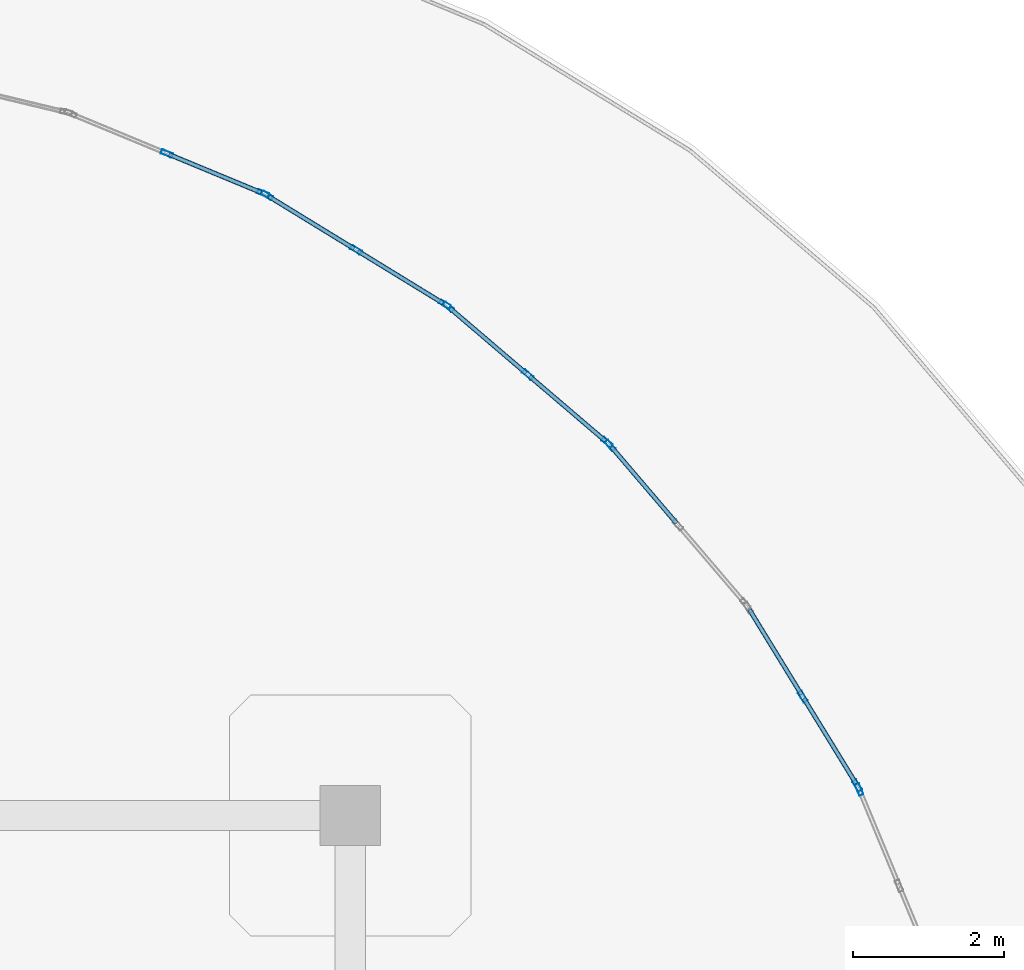
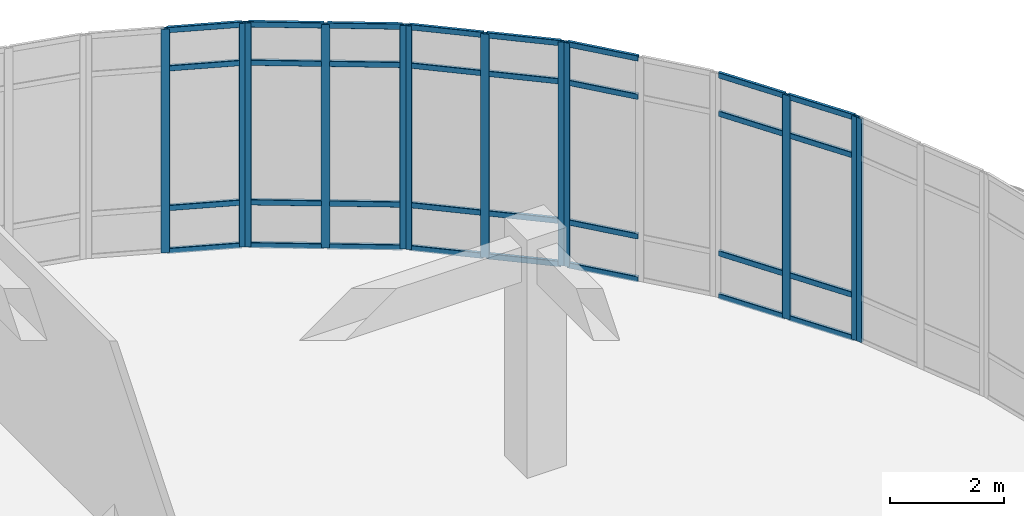
# One storey, part 66 of 96: 44 members, 6 elements without a shape of their own.
"""IFC4 building model written with IfcOpenShell, lengths in metres."""

from ifc_helpers import new_model, si_unit, derived_unit, direction, frame, origin, origin_2d, place, context, subcontext, project, spatial, hollow_rectangle, extrude, material, layer, layer_set, material_profile, profile_set, type_object, element, aggregate, save


model = new_model("IFC4")

# Units and contexts
model_context = context("Model", 3, precision=1e-05, world=origin(), true_north=direction((0.0, 1.0)))
body_context = subcontext(model_context, "Body", "Model", "MODEL_VIEW")
ifc_project = project(units=[si_unit("LENGTHUNIT", "METRE"), si_unit("AREAUNIT", "SQUARE_METRE"), si_unit("VOLUMEUNIT", "CUBIC_METRE"), si_unit("PLANEANGLEUNIT", "RADIAN"), si_unit("MASSUNIT", "GRAM", prefix="KILO"), derived_unit("THERMALTRANSMITTANCEUNIT", [(si_unit("MASSUNIT", "GRAM", prefix="KILO"), 1), (si_unit("TIMEUNIT", "SECOND"), -3), (si_unit("THERMODYNAMICTEMPERATUREUNIT", "KELVIN"), -1)])], contexts=[model_context])

# Site, building, storey
site_placement = place(None, origin())
site = spatial("IfcSite", under=ifc_project, at=site_placement, CompositionType="ELEMENT")
building_placement = place(site_placement, origin())
building = spatial("IfcBuilding", under=site, at=building_placement, Name="Qinzheling Arcade Emporium", CompositionType="ELEMENT")
storey_placement = place(building_placement, frame((0.0, 0.0, 21.60009765625)))
storey = spatial("IfcBuildingStorey", under=building, at=storey_placement, Name="L05", CompositionType="ELEMENT", Elevation=21.60009765625)

# Curtain wall, members
ifc_material_1 = material(Name="Anodised aluminium and solar-control double glazing", Category="aluminium")
ifc_layer = layer(ifc_material_1, 0.159912109375, Name="Anodised aluminium and solar-control double glazing", Category="aluminium")
ifc_layer_set = layer_set([ifc_layer], Name="Anodised aluminium and solar-control double glazing")
curtain_wall_type = type_object("IfcCurtainWallType", Name="Curved Ribbon Sales Curtain Wall", PredefinedType="NOTDEFINED", material=ifc_layer_set)
curtain_wall_1_placement = place(storey_placement, origin())
curtain_wall_1 = element("IfcCurtainWall", 1, at=curtain_wall_1_placement, inside=storey, type_object=curtain_wall_type, Name="Curtain Wall CW-L05-336", PredefinedType="NOTDEFINED")
ifc_material_2 = material(Name="Anodised aluminium 6063-T6", Category="aluminium")
ifc_material_profile_1 = material_profile(ifc_material_2, hollow_rectangle(XDim=0.06005859375, YDim=0.159912109375, WallThickness=0.00390625, InnerFilletRadius=0.00390625, OuterFilletRadius=0.008056640625, at=origin_2d()), Name="RHS 160x60x4", Category="aluminium")
ifc_profile_set_1 = profile_set([ifc_material_profile_1], Name="Anodised aluminium 6063-T6")
member_type_1 = type_object("IfcMemberType", Name="Curtain Wall Mullion RHS160x60", PredefinedType="MULLION", material=ifc_profile_set_1)
member_1_placement = place(storey_placement, frame((128.06689453125, 107.778564453125, 0.0), z_axis=(0.0, 0.0, 1.0), x_axis=(0.382654004198, 0.923891721508, 0.0)))
member_1 = element("IfcMember", 2, at=member_1_placement, type_object=member_type_1, Name="CW02 mullion 2", PredefinedType="MULLION", context=body_context, shape_type="SweptSolid", body=[
    extrude(hollow_rectangle(XDim=0.06005859375, YDim=0.159912109375, WallThickness=0.00390625, InnerFilletRadius=0.00390625, OuterFilletRadius=0.008056640625, at=origin_2d()), origin(), (0.0, 0.0, 1.0), 4.789794921875),
])
member_2_placement = place(storey_placement, frame((129.34423828125, 107.24951171875, 0.0), z_axis=(0.0, 0.0, 1.0), x_axis=(0.382654004198, 0.923891721508, 0.0)))
member_2 = element("IfcMember", 3, at=member_2_placement, type_object=member_type_1, Name="CW02 mullion 3", PredefinedType="MULLION", context=body_context, shape_type="SweptSolid", body=[
    extrude(hollow_rectangle(XDim=0.06005859375, YDim=0.159912109375, WallThickness=0.00390625, InnerFilletRadius=0.00390625, OuterFilletRadius=0.008056640625, at=origin_2d()), origin(), (0.0, 0.0, 1.0), 4.789794921875),
])

curtain_wall_2_placement = place(storey_placement, origin())
curtain_wall_2 = element("IfcCurtainWall", 4, at=curtain_wall_2_placement, inside=storey, type_object=curtain_wall_type, Name="Curtain Wall CW-L05-337", PredefinedType="NOTDEFINED")
member_3_placement = place(storey_placement, frame((129.3974609375, 107.222412109375, 0.0), z_axis=(0.0, 0.0, 1.0), x_axis=(0.522595267575, 0.852580897222, 0.0)))
member_3 = element("IfcMember", 5, at=member_3_placement, type_object=member_type_1, Name="CW02 mullion 1", PredefinedType="MULLION", context=body_context, shape_type="SweptSolid", body=[
    extrude(hollow_rectangle(XDim=0.06005859375, YDim=0.159912109375, WallThickness=0.00390625, InnerFilletRadius=0.00390625, OuterFilletRadius=0.008056640625, at=origin_2d()), origin(), (0.0, 0.0, 1.0), 4.789794921875),
])
member_4_placement = place(storey_placement, frame((130.575927734375, 106.5, 0.0), z_axis=(0.0, 0.0, 1.0), x_axis=(0.522595267575, 0.852580897222, 0.0)))
member_4 = element("IfcMember", 6, at=member_4_placement, type_object=member_type_1, Name="CW02 mullion 2", PredefinedType="MULLION", context=body_context, shape_type="SweptSolid", body=[
    extrude(hollow_rectangle(XDim=0.06005859375, YDim=0.159912109375, WallThickness=0.00390625, InnerFilletRadius=0.00390625, OuterFilletRadius=0.008056640625, at=origin_2d()), origin(), (0.0, 0.0, 1.0), 4.789794921875),
])
member_5_placement = place(storey_placement, frame((131.75439453125, 105.777587890625, 0.0), z_axis=(0.0, 0.0, 1.0), x_axis=(0.522595267575, 0.852580897222, 0.0)))
member_5 = element("IfcMember", 7, at=member_5_placement, type_object=member_type_1, Name="CW02 mullion 3", PredefinedType="MULLION", context=body_context, shape_type="SweptSolid", body=[
    extrude(hollow_rectangle(XDim=0.06005859375, YDim=0.159912109375, WallThickness=0.00390625, InnerFilletRadius=0.00390625, OuterFilletRadius=0.008056640625, at=origin_2d()), origin(), (0.0, 0.0, 1.0), 4.789794921875),
])

curtain_wall_3_placement = place(storey_placement, origin())
curtain_wall_3 = element("IfcCurtainWall", 8, at=curtain_wall_3_placement, inside=storey, type_object=curtain_wall_type, Name="Curtain Wall CW-L05-338", PredefinedType="NOTDEFINED")
member_6_placement = place(storey_placement, frame((131.802734375, 105.742431640625, 0.0), z_axis=(0.0, 0.0, 1.0), x_axis=(0.64933231048, 0.760504799831, 0.0)))
member_6 = element("IfcMember", 9, at=member_6_placement, type_object=member_type_1, Name="CW02 mullion 1", PredefinedType="MULLION", context=body_context, shape_type="SweptSolid", body=[
    extrude(hollow_rectangle(XDim=0.06005859375, YDim=0.159912109375, WallThickness=0.00390625, InnerFilletRadius=0.00390625, OuterFilletRadius=0.008056640625, at=origin_2d()), origin(), (0.0, 0.0, 1.0), 4.789794921875),
])
member_7_placement = place(storey_placement, frame((132.85400390625, 104.844970703125, 0.0), z_axis=(0.0, 0.0, 1.0), x_axis=(0.64933231048, 0.760504799831, 0.0)))
member_7 = element("IfcMember", 10, at=member_7_placement, type_object=member_type_1, Name="CW02 mullion 2", PredefinedType="MULLION", context=body_context, shape_type="SweptSolid", body=[
    extrude(hollow_rectangle(XDim=0.06005859375, YDim=0.159912109375, WallThickness=0.00390625, InnerFilletRadius=0.00390625, OuterFilletRadius=0.008056640625, at=origin_2d()), origin(), (0.0, 0.0, 1.0), 4.789794921875),
])
member_8_placement = place(storey_placement, frame((133.9052734375, 103.947509765625, 0.0), z_axis=(0.0, 0.0, 1.0), x_axis=(0.64933231048, 0.760504799831, 0.0)))
member_8 = element("IfcMember", 11, at=member_8_placement, type_object=member_type_1, Name="CW02 mullion 3", PredefinedType="MULLION", context=body_context, shape_type="SweptSolid", body=[
    extrude(hollow_rectangle(XDim=0.06005859375, YDim=0.159912109375, WallThickness=0.00390625, InnerFilletRadius=0.00390625, OuterFilletRadius=0.008056640625, at=origin_2d()), origin(), (0.0, 0.0, 1.0), 4.789794921875),
])

# Curtain wall, member
curtain_wall_4_placement = place(storey_placement, origin())
curtain_wall_4 = element("IfcCurtainWall", 12, at=curtain_wall_4_placement, inside=storey, type_object=curtain_wall_type, Name="Curtain Wall CW-L05-339", PredefinedType="NOTDEFINED")
member_9_placement = place(storey_placement, frame((133.947509765625, 103.9052734375, 0.0), z_axis=(0.0, 0.0, 1.0), x_axis=(0.760504799831, 0.64933231048, 0.0)))
member_9 = element("IfcMember", 13, at=member_9_placement, type_object=member_type_1, Name="CW02 mullion 1", PredefinedType="MULLION", context=body_context, shape_type="SweptSolid", body=[
    extrude(hollow_rectangle(XDim=0.06005859375, YDim=0.159912109375, WallThickness=0.00390625, InnerFilletRadius=0.00390625, OuterFilletRadius=0.008056640625, at=origin_2d()), origin(), (0.0, 0.0, 1.0), 4.789794921875),
])

# Curtain wall, members
curtain_wall_5_placement = place(storey_placement, origin())
curtain_wall_5 = element("IfcCurtainWall", 14, at=curtain_wall_5_placement, inside=storey, type_object=curtain_wall_type, Name="Curtain Wall CW-L05-340", PredefinedType="NOTDEFINED")
member_10_placement = place(storey_placement, frame((136.5, 100.575927734375, 0.0), z_axis=(0.0, 0.0, 1.0), x_axis=(0.852580897222, 0.522595267575, 0.0)))
member_10 = element("IfcMember", 15, at=member_10_placement, type_object=member_type_1, Name="CW02 mullion 2", PredefinedType="MULLION", context=body_context, shape_type="SweptSolid", body=[
    extrude(hollow_rectangle(XDim=0.06005859375, YDim=0.159912109375, WallThickness=0.00390625, InnerFilletRadius=0.00390625, OuterFilletRadius=0.008056640625, at=origin_2d()), origin(), (0.0, 0.0, 1.0), 4.789794921875),
])
member_11_placement = place(storey_placement, frame((137.222412109375, 99.3974609375, 0.0), z_axis=(0.0, 0.0, 1.0), x_axis=(0.852580897222, 0.522595267575, 0.0)))
member_11 = element("IfcMember", 16, at=member_11_placement, type_object=member_type_1, Name="CW02 mullion 3", PredefinedType="MULLION", context=body_context, shape_type="SweptSolid", body=[
    extrude(hollow_rectangle(XDim=0.06005859375, YDim=0.159912109375, WallThickness=0.00390625, InnerFilletRadius=0.00390625, OuterFilletRadius=0.008056640625, at=origin_2d()), origin(), (0.0, 0.0, 1.0), 4.789794921875),
])

# Curtain wall, member
curtain_wall_6_placement = place(storey_placement, origin())
curtain_wall_6 = element("IfcCurtainWall", 17, at=curtain_wall_6_placement, inside=storey, type_object=curtain_wall_type, Name="Curtain Wall CW-L05-341", PredefinedType="NOTDEFINED")
member_12_placement = place(storey_placement, frame((137.24951171875, 99.34423828125, 0.0), z_axis=(0.0, 0.0, 1.0), x_axis=(0.923891721508, 0.382654004198, 0.0)))
member_12 = element("IfcMember", 18, at=member_12_placement, type_object=member_type_1, Name="CW02 mullion 1", PredefinedType="MULLION", context=body_context, shape_type="SweptSolid", body=[
    extrude(hollow_rectangle(XDim=0.06005859375, YDim=0.159912109375, WallThickness=0.00390625, InnerFilletRadius=0.00390625, OuterFilletRadius=0.008056640625, at=origin_2d()), origin(), (0.0, 0.0, 1.0), 4.789794921875),
])
aggregate(curtain_wall_6, [member_12])

# Member
ifc_material_profile_2 = material_profile(ifc_material_2, hollow_rectangle(XDim=0.06005859375, YDim=0.1201171875, WallThickness=0.00390625, InnerFilletRadius=0.00390625, OuterFilletRadius=0.008056640625, at=origin_2d()), Name="RHS 120x60x4", Category="aluminium")
ifc_profile_set_2 = profile_set([ifc_material_profile_2], Name="Anodised aluminium 6063-T6")
member_type_2 = type_object("IfcMemberType", Name="Curtain Wall Transom RHS120x60", PredefinedType="USERDEFINED", material=ifc_profile_set_2)
member_13_placement = place(storey_placement, frame((128.0947265625, 107.76708984375, 0.02978515625), z_axis=(0.92388859603, -0.382661550363, 0.0), x_axis=(0.382661550363, 0.92388859603, 0.0)))
member_13 = element("IfcMember", 19, at=member_13_placement, type_object=member_type_2, Name="CW02 transom 2.1", ObjectType="TRANSOM", PredefinedType="USERDEFINED", context=body_context, shape_type="SweptSolid", body=[
    extrude(hollow_rectangle(XDim=0.06005859375, YDim=0.1201171875, WallThickness=0.00390625, InnerFilletRadius=0.00390625, OuterFilletRadius=0.008056640625, at=origin_2d()), origin(), (0.0, 0.0, 1.0), 1.322509765625),
])

member_14_placement = place(storey_placement, frame((128.0947265625, 107.76708984375, 0.949951171875), z_axis=(0.92388859603, -0.382661550363, 0.0), x_axis=(0.382661550363, 0.92388859603, 0.0)))
member_14 = element("IfcMember", 20, at=member_14_placement, type_object=member_type_2, Name="CW02 transom 2.2", ObjectType="TRANSOM", PredefinedType="USERDEFINED", context=body_context, shape_type="SweptSolid", body=[
    extrude(hollow_rectangle(XDim=0.06005859375, YDim=0.1201171875, WallThickness=0.00390625, InnerFilletRadius=0.00390625, OuterFilletRadius=0.008056640625, at=origin_2d()), origin(), (0.0, 0.0, 1.0), 1.322509765625),
])

member_15_placement = place(storey_placement, frame((128.0947265625, 107.76708984375, 3.93994140625), z_axis=(0.92388859603, -0.382661550363, 0.0), x_axis=(0.382661550363, 0.92388859603, 0.0)))
member_15 = element("IfcMember", 21, at=member_15_placement, type_object=member_type_2, Name="CW02 transom 2.3", ObjectType="TRANSOM", PredefinedType="USERDEFINED", context=body_context, shape_type="SweptSolid", body=[
    extrude(hollow_rectangle(XDim=0.06005859375, YDim=0.1201171875, WallThickness=0.00390625, InnerFilletRadius=0.00390625, OuterFilletRadius=0.008056640625, at=origin_2d()), origin(), (0.0, 0.0, 1.0), 1.322509765625),
])

member_16_placement = place(storey_placement, frame((128.0947265625, 107.76708984375, 4.760009765625), z_axis=(0.92388859603, -0.382661550363, 0.0), x_axis=(0.382661550363, 0.92388859603, 0.0)))
member_16 = element("IfcMember", 22, at=member_16_placement, type_object=member_type_2, Name="CW02 transom 2.4", ObjectType="TRANSOM", PredefinedType="USERDEFINED", context=body_context, shape_type="SweptSolid", body=[
    extrude(hollow_rectangle(XDim=0.06005859375, YDim=0.1201171875, WallThickness=0.00390625, InnerFilletRadius=0.00390625, OuterFilletRadius=0.008056640625, at=origin_2d()), origin(), (0.0, 0.0, 1.0), 1.322509765625),
])

aggregate(curtain_wall_1, [member_1, member_2, member_13, member_14, member_15, member_16])

member_17_placement = place(storey_placement, frame((129.423095703125, 107.20654296875, 0.02978515625), z_axis=(0.852633093657, -0.522510102869, 0.0), x_axis=(0.522510102869, 0.852633093657, 0.0)))
member_17 = element("IfcMember", 23, at=member_17_placement, type_object=member_type_2, Name="CW02 transom 1.1", ObjectType="TRANSOM", PredefinedType="USERDEFINED", context=body_context, shape_type="SweptSolid", body=[
    extrude(hollow_rectangle(XDim=0.06005859375, YDim=0.1201171875, WallThickness=0.00390625, InnerFilletRadius=0.00390625, OuterFilletRadius=0.008056640625, at=origin_2d()), origin(), (0.0, 0.0, 1.0), 1.322265625),
])

member_18_placement = place(storey_placement, frame((129.423095703125, 107.20654296875, 0.949951171875), z_axis=(0.852633093657, -0.522510102869, 0.0), x_axis=(0.522510102869, 0.852633093657, 0.0)))
member_18 = element("IfcMember", 24, at=member_18_placement, type_object=member_type_2, Name="CW02 transom 1.2", ObjectType="TRANSOM", PredefinedType="USERDEFINED", context=body_context, shape_type="SweptSolid", body=[
    extrude(hollow_rectangle(XDim=0.06005859375, YDim=0.1201171875, WallThickness=0.00390625, InnerFilletRadius=0.00390625, OuterFilletRadius=0.008056640625, at=origin_2d()), origin(), (0.0, 0.0, 1.0), 1.322265625),
])

member_19_placement = place(storey_placement, frame((129.423095703125, 107.20654296875, 3.93994140625), z_axis=(0.852633093657, -0.522510102869, 0.0), x_axis=(0.522510102869, 0.852633093657, 0.0)))
member_19 = element("IfcMember", 25, at=member_19_placement, type_object=member_type_2, Name="CW02 transom 1.3", ObjectType="TRANSOM", PredefinedType="USERDEFINED", context=body_context, shape_type="SweptSolid", body=[
    extrude(hollow_rectangle(XDim=0.06005859375, YDim=0.1201171875, WallThickness=0.00390625, InnerFilletRadius=0.00390625, OuterFilletRadius=0.008056640625, at=origin_2d()), origin(), (0.0, 0.0, 1.0), 1.322265625),
])

member_20_placement = place(storey_placement, frame((129.423095703125, 107.20654296875, 4.760009765625), z_axis=(0.852633093657, -0.522510102869, 0.0), x_axis=(0.522510102869, 0.852633093657, 0.0)))
member_20 = element("IfcMember", 26, at=member_20_placement, type_object=member_type_2, Name="CW02 transom 1.4", ObjectType="TRANSOM", PredefinedType="USERDEFINED", context=body_context, shape_type="SweptSolid", body=[
    extrude(hollow_rectangle(XDim=0.06005859375, YDim=0.1201171875, WallThickness=0.00390625, InnerFilletRadius=0.00390625, OuterFilletRadius=0.008056640625, at=origin_2d()), origin(), (0.0, 0.0, 1.0), 1.322265625),
])

member_21_placement = place(storey_placement, frame((130.6015625, 106.484375, 0.02978515625), z_axis=(0.852582673964, -0.522592368923, 0.0), x_axis=(0.522592368923, 0.852582673964, 0.0)))
member_21 = element("IfcMember", 27, at=member_21_placement, type_object=member_type_2, Name="CW02 transom 2.1", ObjectType="TRANSOM", PredefinedType="USERDEFINED", context=body_context, shape_type="SweptSolid", body=[
    extrude(hollow_rectangle(XDim=0.06005859375, YDim=0.1201171875, WallThickness=0.00390625, InnerFilletRadius=0.00390625, OuterFilletRadius=0.008056640625, at=origin_2d()), origin(), (0.0, 0.0, 1.0), 1.322021484375),
])

member_22_placement = place(storey_placement, frame((130.6015625, 106.484375, 0.949951171875), z_axis=(0.852582673964, -0.522592368923, 0.0), x_axis=(0.522592368923, 0.852582673964, 0.0)))
member_22 = element("IfcMember", 28, at=member_22_placement, type_object=member_type_2, Name="CW02 transom 2.2", ObjectType="TRANSOM", PredefinedType="USERDEFINED", context=body_context, shape_type="SweptSolid", body=[
    extrude(hollow_rectangle(XDim=0.06005859375, YDim=0.1201171875, WallThickness=0.00390625, InnerFilletRadius=0.00390625, OuterFilletRadius=0.008056640625, at=origin_2d()), origin(), (0.0, 0.0, 1.0), 1.322021484375),
])

member_23_placement = place(storey_placement, frame((130.6015625, 106.484375, 3.93994140625), z_axis=(0.852582673964, -0.522592368923, 0.0), x_axis=(0.522592368923, 0.852582673964, 0.0)))
member_23 = element("IfcMember", 29, at=member_23_placement, type_object=member_type_2, Name="CW02 transom 2.3", ObjectType="TRANSOM", PredefinedType="USERDEFINED", context=body_context, shape_type="SweptSolid", body=[
    extrude(hollow_rectangle(XDim=0.06005859375, YDim=0.1201171875, WallThickness=0.00390625, InnerFilletRadius=0.00390625, OuterFilletRadius=0.008056640625, at=origin_2d()), origin(), (0.0, 0.0, 1.0), 1.322021484375),
])

member_24_placement = place(storey_placement, frame((130.6015625, 106.484375, 4.760009765625), z_axis=(0.852582673964, -0.522592368923, 0.0), x_axis=(0.522592368923, 0.852582673964, 0.0)))
member_24 = element("IfcMember", 30, at=member_24_placement, type_object=member_type_2, Name="CW02 transom 2.4", ObjectType="TRANSOM", PredefinedType="USERDEFINED", context=body_context, shape_type="SweptSolid", body=[
    extrude(hollow_rectangle(XDim=0.06005859375, YDim=0.1201171875, WallThickness=0.00390625, InnerFilletRadius=0.00390625, OuterFilletRadius=0.008056640625, at=origin_2d()), origin(), (0.0, 0.0, 1.0), 1.322021484375),
])

aggregate(curtain_wall_2, [member_3, member_4, member_5, member_17, member_18, member_19, member_20, member_21, member_22, member_23, member_24])

member_25_placement = place(storey_placement, frame((131.82568359375, 105.72314453125, 0.02978515625), z_axis=(0.760493339257, -0.649345732985, 0.0), x_axis=(0.649345732985, 0.760493339257, 0.0)))
member_25 = element("IfcMember", 31, at=member_25_placement, type_object=member_type_2, Name="CW02 transom 1.1", ObjectType="TRANSOM", PredefinedType="USERDEFINED", context=body_context, shape_type="SweptSolid", body=[
    extrude(hollow_rectangle(XDim=0.06005859375, YDim=0.1201171875, WallThickness=0.00390625, InnerFilletRadius=0.00390625, OuterFilletRadius=0.008056640625, at=origin_2d()), origin(), (0.0, 0.0, 1.0), 1.322265625),
])

member_26_placement = place(storey_placement, frame((131.82568359375, 105.72314453125, 0.949951171875), z_axis=(0.760493339257, -0.649345732985, 0.0), x_axis=(0.649345732985, 0.760493339257, 0.0)))
member_26 = element("IfcMember", 32, at=member_26_placement, type_object=member_type_2, Name="CW02 transom 1.2", ObjectType="TRANSOM", PredefinedType="USERDEFINED", context=body_context, shape_type="SweptSolid", body=[
    extrude(hollow_rectangle(XDim=0.06005859375, YDim=0.1201171875, WallThickness=0.00390625, InnerFilletRadius=0.00390625, OuterFilletRadius=0.008056640625, at=origin_2d()), origin(), (0.0, 0.0, 1.0), 1.322265625),
])

member_27_placement = place(storey_placement, frame((131.82568359375, 105.72314453125, 3.93994140625), z_axis=(0.760493339257, -0.649345732985, 0.0), x_axis=(0.649345732985, 0.760493339257, 0.0)))
member_27 = element("IfcMember", 33, at=member_27_placement, type_object=member_type_2, Name="CW02 transom 1.3", ObjectType="TRANSOM", PredefinedType="USERDEFINED", context=body_context, shape_type="SweptSolid", body=[
    extrude(hollow_rectangle(XDim=0.06005859375, YDim=0.1201171875, WallThickness=0.00390625, InnerFilletRadius=0.00390625, OuterFilletRadius=0.008056640625, at=origin_2d()), origin(), (0.0, 0.0, 1.0), 1.322265625),
])

member_28_placement = place(storey_placement, frame((131.82568359375, 105.72314453125, 4.760009765625), z_axis=(0.760493339257, -0.649345732985, 0.0), x_axis=(0.649345732985, 0.760493339257, 0.0)))
member_28 = element("IfcMember", 34, at=member_28_placement, type_object=member_type_2, Name="CW02 transom 1.4", ObjectType="TRANSOM", PredefinedType="USERDEFINED", context=body_context, shape_type="SweptSolid", body=[
    extrude(hollow_rectangle(XDim=0.06005859375, YDim=0.1201171875, WallThickness=0.00390625, InnerFilletRadius=0.00390625, OuterFilletRadius=0.008056640625, at=origin_2d()), origin(), (0.0, 0.0, 1.0), 1.322265625),
])

member_29_placement = place(storey_placement, frame((132.876708984375, 104.825439453125, 0.02978515625), z_axis=(0.760584517534, -0.649238932665, 0.0), x_axis=(0.649238932665, 0.760584517534, 0.0)))
member_29 = element("IfcMember", 35, at=member_29_placement, type_object=member_type_2, Name="CW02 transom 2.1", ObjectType="TRANSOM", PredefinedType="USERDEFINED", context=body_context, shape_type="SweptSolid", body=[
    extrude(hollow_rectangle(XDim=0.06005859375, YDim=0.1201171875, WallThickness=0.00390625, InnerFilletRadius=0.00390625, OuterFilletRadius=0.008056640625, at=origin_2d()), origin(), (0.0, 0.0, 1.0), 1.322265625),
])

member_30_placement = place(storey_placement, frame((132.876708984375, 104.825439453125, 0.949951171875), z_axis=(0.760584517534, -0.649238932665, 0.0), x_axis=(0.649238932665, 0.760584517534, 0.0)))
member_30 = element("IfcMember", 36, at=member_30_placement, type_object=member_type_2, Name="CW02 transom 2.2", ObjectType="TRANSOM", PredefinedType="USERDEFINED", context=body_context, shape_type="SweptSolid", body=[
    extrude(hollow_rectangle(XDim=0.06005859375, YDim=0.1201171875, WallThickness=0.00390625, InnerFilletRadius=0.00390625, OuterFilletRadius=0.008056640625, at=origin_2d()), origin(), (0.0, 0.0, 1.0), 1.322265625),
])

member_31_placement = place(storey_placement, frame((132.876708984375, 104.825439453125, 3.93994140625), z_axis=(0.760584517534, -0.649238932665, 0.0), x_axis=(0.649238932665, 0.760584517534, 0.0)))
member_31 = element("IfcMember", 37, at=member_31_placement, type_object=member_type_2, Name="CW02 transom 2.3", ObjectType="TRANSOM", PredefinedType="USERDEFINED", context=body_context, shape_type="SweptSolid", body=[
    extrude(hollow_rectangle(XDim=0.06005859375, YDim=0.1201171875, WallThickness=0.00390625, InnerFilletRadius=0.00390625, OuterFilletRadius=0.008056640625, at=origin_2d()), origin(), (0.0, 0.0, 1.0), 1.322265625),
])

member_32_placement = place(storey_placement, frame((132.876708984375, 104.825439453125, 4.760009765625), z_axis=(0.760584517534, -0.649238932665, 0.0), x_axis=(0.649238932665, 0.760584517534, 0.0)))
member_32 = element("IfcMember", 38, at=member_32_placement, type_object=member_type_2, Name="CW02 transom 2.4", ObjectType="TRANSOM", PredefinedType="USERDEFINED", context=body_context, shape_type="SweptSolid", body=[
    extrude(hollow_rectangle(XDim=0.06005859375, YDim=0.1201171875, WallThickness=0.00390625, InnerFilletRadius=0.00390625, OuterFilletRadius=0.008056640625, at=origin_2d()), origin(), (0.0, 0.0, 1.0), 1.322265625),
])

aggregate(curtain_wall_3, [member_6, member_7, member_8, member_25, member_26, member_27, member_28, member_29, member_30, member_31, member_32])

member_33_placement = place(storey_placement, frame((133.967041015625, 103.88232421875, 0.02978515625), z_axis=(0.649238932665, -0.760584517534, 0.0), x_axis=(0.760584517534, 0.649238932665, 0.0)))
member_33 = element("IfcMember", 39, at=member_33_placement, type_object=member_type_2, Name="CW02 transom 1.1", ObjectType="TRANSOM", PredefinedType="USERDEFINED", context=body_context, shape_type="SweptSolid", body=[
    extrude(hollow_rectangle(XDim=0.06005859375, YDim=0.1201171875, WallThickness=0.00390625, InnerFilletRadius=0.00390625, OuterFilletRadius=0.008056640625, at=origin_2d()), origin(), (0.0, 0.0, 1.0), 1.322265625),
])

member_34_placement = place(storey_placement, frame((133.967041015625, 103.88232421875, 0.949951171875), z_axis=(0.649238932665, -0.760584517534, 0.0), x_axis=(0.760584517534, 0.649238932665, 0.0)))
member_34 = element("IfcMember", 40, at=member_34_placement, type_object=member_type_2, Name="CW02 transom 1.2", ObjectType="TRANSOM", PredefinedType="USERDEFINED", context=body_context, shape_type="SweptSolid", body=[
    extrude(hollow_rectangle(XDim=0.06005859375, YDim=0.1201171875, WallThickness=0.00390625, InnerFilletRadius=0.00390625, OuterFilletRadius=0.008056640625, at=origin_2d()), origin(), (0.0, 0.0, 1.0), 1.322265625),
])

member_35_placement = place(storey_placement, frame((133.967041015625, 103.88232421875, 3.93994140625), z_axis=(0.649238932665, -0.760584517534, 0.0), x_axis=(0.760584517534, 0.649238932665, 0.0)))
member_35 = element("IfcMember", 41, at=member_35_placement, type_object=member_type_2, Name="CW02 transom 1.3", ObjectType="TRANSOM", PredefinedType="USERDEFINED", context=body_context, shape_type="SweptSolid", body=[
    extrude(hollow_rectangle(XDim=0.06005859375, YDim=0.1201171875, WallThickness=0.00390625, InnerFilletRadius=0.00390625, OuterFilletRadius=0.008056640625, at=origin_2d()), origin(), (0.0, 0.0, 1.0), 1.322265625),
])

member_36_placement = place(storey_placement, frame((133.967041015625, 103.88232421875, 4.760009765625), z_axis=(0.649238932665, -0.760584517534, 0.0), x_axis=(0.760584517534, 0.649238932665, 0.0)))
member_36 = element("IfcMember", 42, at=member_36_placement, type_object=member_type_2, Name="CW02 transom 1.4", ObjectType="TRANSOM", PredefinedType="USERDEFINED", context=body_context, shape_type="SweptSolid", body=[
    extrude(hollow_rectangle(XDim=0.06005859375, YDim=0.1201171875, WallThickness=0.00390625, InnerFilletRadius=0.00390625, OuterFilletRadius=0.008056640625, at=origin_2d()), origin(), (0.0, 0.0, 1.0), 1.322265625),
])

aggregate(curtain_wall_4, [member_9, member_33, member_34, member_35, member_36])

member_37_placement = place(storey_placement, frame((135.79345703125, 101.728759765625, 0.02978515625), z_axis=(0.522592368923, -0.852582673964, 0.0), x_axis=(0.852582673964, 0.522592368923, 0.0)))
member_37 = element("IfcMember", 43, at=member_37_placement, type_object=member_type_2, Name="CW02 transom 1.1", ObjectType="TRANSOM", PredefinedType="USERDEFINED", context=body_context, shape_type="SweptSolid", body=[
    extrude(hollow_rectangle(XDim=0.06005859375, YDim=0.1201171875, WallThickness=0.00390625, InnerFilletRadius=0.00390625, OuterFilletRadius=0.008056640625, at=origin_2d()), origin(), (0.0, 0.0, 1.0), 1.322021484375),
])

member_38_placement = place(storey_placement, frame((135.79345703125, 101.728759765625, 0.949951171875), z_axis=(0.522592368923, -0.852582673964, 0.0), x_axis=(0.852582673964, 0.522592368923, 0.0)))
member_38 = element("IfcMember", 44, at=member_38_placement, type_object=member_type_2, Name="CW02 transom 1.2", ObjectType="TRANSOM", PredefinedType="USERDEFINED", context=body_context, shape_type="SweptSolid", body=[
    extrude(hollow_rectangle(XDim=0.06005859375, YDim=0.1201171875, WallThickness=0.00390625, InnerFilletRadius=0.00390625, OuterFilletRadius=0.008056640625, at=origin_2d()), origin(), (0.0, 0.0, 1.0), 1.322021484375),
])

member_39_placement = place(storey_placement, frame((135.79345703125, 101.728759765625, 3.93994140625), z_axis=(0.522592368923, -0.852582673964, 0.0), x_axis=(0.852582673964, 0.522592368923, 0.0)))
member_39 = element("IfcMember", 45, at=member_39_placement, type_object=member_type_2, Name="CW02 transom 1.3", ObjectType="TRANSOM", PredefinedType="USERDEFINED", context=body_context, shape_type="SweptSolid", body=[
    extrude(hollow_rectangle(XDim=0.06005859375, YDim=0.1201171875, WallThickness=0.00390625, InnerFilletRadius=0.00390625, OuterFilletRadius=0.008056640625, at=origin_2d()), origin(), (0.0, 0.0, 1.0), 1.322021484375),
])

member_40_placement = place(storey_placement, frame((135.79345703125, 101.728759765625, 4.760009765625), z_axis=(0.522592368923, -0.852582673964, 0.0), x_axis=(0.852582673964, 0.522592368923, 0.0)))
member_40 = element("IfcMember", 46, at=member_40_placement, type_object=member_type_2, Name="CW02 transom 1.4", ObjectType="TRANSOM", PredefinedType="USERDEFINED", context=body_context, shape_type="SweptSolid", body=[
    extrude(hollow_rectangle(XDim=0.06005859375, YDim=0.1201171875, WallThickness=0.00390625, InnerFilletRadius=0.00390625, OuterFilletRadius=0.008056640625, at=origin_2d()), origin(), (0.0, 0.0, 1.0), 1.322021484375),
])

member_41_placement = place(storey_placement, frame((136.515625, 100.550537109375, 0.02978515625), z_axis=(0.522510102869, -0.852633093657, 0.0), x_axis=(0.852633093657, 0.522510102869, 0.0)))
member_41 = element("IfcMember", 47, at=member_41_placement, type_object=member_type_2, Name="CW02 transom 2.1", ObjectType="TRANSOM", PredefinedType="USERDEFINED", context=body_context, shape_type="SweptSolid", body=[
    extrude(hollow_rectangle(XDim=0.06005859375, YDim=0.1201171875, WallThickness=0.00390625, InnerFilletRadius=0.00390625, OuterFilletRadius=0.008056640625, at=origin_2d()), origin(), (0.0, 0.0, 1.0), 1.322265625),
])

member_42_placement = place(storey_placement, frame((136.515625, 100.550537109375, 0.949951171875), z_axis=(0.522510102869, -0.852633093657, 0.0), x_axis=(0.852633093657, 0.522510102869, 0.0)))
member_42 = element("IfcMember", 48, at=member_42_placement, type_object=member_type_2, Name="CW02 transom 2.2", ObjectType="TRANSOM", PredefinedType="USERDEFINED", context=body_context, shape_type="SweptSolid", body=[
    extrude(hollow_rectangle(XDim=0.06005859375, YDim=0.1201171875, WallThickness=0.00390625, InnerFilletRadius=0.00390625, OuterFilletRadius=0.008056640625, at=origin_2d()), origin(), (0.0, 0.0, 1.0), 1.322265625),
])

member_43_placement = place(storey_placement, frame((136.515625, 100.550537109375, 3.93994140625), z_axis=(0.522510102869, -0.852633093657, 0.0), x_axis=(0.852633093657, 0.522510102869, 0.0)))
member_43 = element("IfcMember", 49, at=member_43_placement, type_object=member_type_2, Name="CW02 transom 2.3", ObjectType="TRANSOM", PredefinedType="USERDEFINED", context=body_context, shape_type="SweptSolid", body=[
    extrude(hollow_rectangle(XDim=0.06005859375, YDim=0.1201171875, WallThickness=0.00390625, InnerFilletRadius=0.00390625, OuterFilletRadius=0.008056640625, at=origin_2d()), origin(), (0.0, 0.0, 1.0), 1.322265625),
])

member_44_placement = place(storey_placement, frame((136.515625, 100.550537109375, 4.760009765625), z_axis=(0.522510102869, -0.852633093657, 0.0), x_axis=(0.852633093657, 0.522510102869, 0.0)))
member_44 = element("IfcMember", 50, at=member_44_placement, type_object=member_type_2, Name="CW02 transom 2.4", ObjectType="TRANSOM", PredefinedType="USERDEFINED", context=body_context, shape_type="SweptSolid", body=[
    extrude(hollow_rectangle(XDim=0.06005859375, YDim=0.1201171875, WallThickness=0.00390625, InnerFilletRadius=0.00390625, OuterFilletRadius=0.008056640625, at=origin_2d()), origin(), (0.0, 0.0, 1.0), 1.322265625),
])

aggregate(curtain_wall_5, [member_10, member_11, member_37, member_38, member_39, member_40, member_41, member_42, member_43, member_44])

save(model, "model.ifc")
